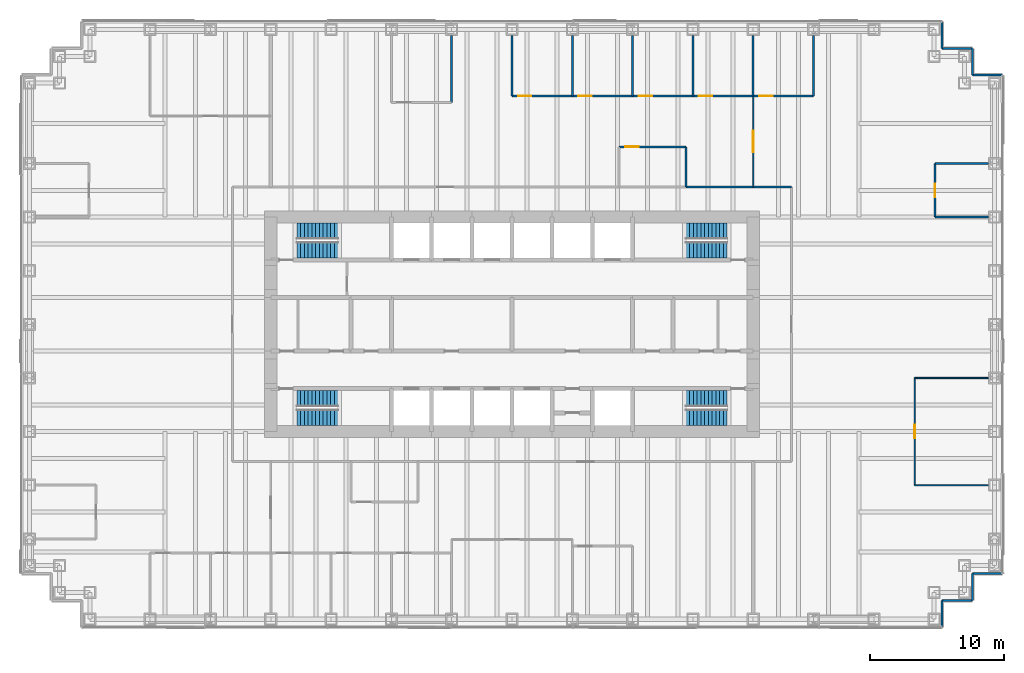
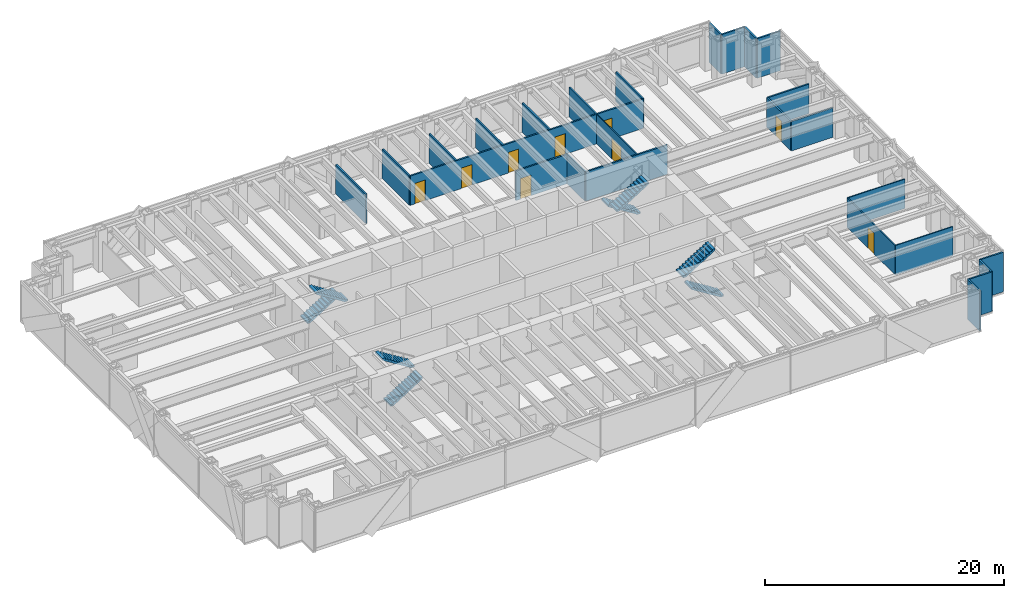
# One storey, part 16 of 17: 26 walls, 9 doors, 8 stair flights, 9 openings, 4 elements without a shape of their own.
"""IFC4 building model written with IfcOpenShell, lengths in metres."""

from ifc_helpers import new_model, si_unit, direction, frame, frame_2d, origin, place, context, subcontext, project, spatial, polyline, rectangle, outline, extrude, material, layer, layer_set, type_object, element, fill, aggregate, save


model = new_model("IFC4")

# Units and contexts
model_context = context("Model", 3, precision=1e-05, world=origin(), true_north=direction((0.0, 1.0)))
body_context = subcontext(model_context, "Body", "Model", "MODEL_VIEW")
ifc_project = project(units=[si_unit("LENGTHUNIT", "METRE"), si_unit("AREAUNIT", "SQUARE_METRE"), si_unit("VOLUMEUNIT", "CUBIC_METRE"), si_unit("PLANEANGLEUNIT", "RADIAN"), si_unit("MASSUNIT", "GRAM", prefix="KILO")], contexts=[model_context])

# Site, building, storey
site_placement = place(None, origin())
site = spatial("IfcSite", under=ifc_project, at=site_placement, CompositionType="ELEMENT")
building_placement = place(site_placement, origin())
building = spatial("IfcBuilding", under=site, at=building_placement, Name="Rheinbord Bourse Tower", CompositionType="ELEMENT")
storey_placement = place(building_placement, frame((0.0, 0.0, 159.300048828125)))
storey = spatial("IfcBuildingStorey", under=building, at=storey_placement, Name="L35", CompositionType="ELEMENT", Elevation=159.300048828125)

# Walls
ifc_material_1 = material(Name="Black metal rainscreen panel", Category="aluminium")
ifc_layer_1 = layer(ifc_material_1, 0.14990234375)
ifc_layer_set_1 = layer_set([ifc_layer_1], Name="CORNER PIER CLADDING 150")
wall_type_1 = type_object("IfcWallType", Name="CORNER PIER CLADDING 150", PredefinedType="ELEMENTEDWALL", material=ifc_layer_set_1)
wall_1_placement = place(storey_placement, frame((68.10009765625, 1.39990234375, 0.0), z_axis=(0.0, 0.0, 1.0), x_axis=(0.0, 1.0, 0.0)))
element("IfcWall", 1, at=wall_1_placement, inside=storey, type_object=wall_type_1, Name="Corner pier cladding L35 2", PredefinedType="ELEMENTEDWALL", context=body_context, shape_type="SweptSolid", body=[
    extrude(rectangle(XDim=2.0, YDim=0.14990234375, at=frame_2d((1.0, 0.0))), origin(), (0.0, 0.0, 1.0), 4.0400390625),
])
wall_2_placement = place(storey_placement, frame((68.10009765625, 3.39990234375, 0.0), z_axis=(0.0, 0.0, 1.0), x_axis=(1.0, 0.0, 0.0)))
element("IfcWall", 2, at=wall_2_placement, inside=storey, type_object=wall_type_1, Name="Corner pier cladding L35 3", PredefinedType="ELEMENTEDWALL", context=body_context, shape_type="SweptSolid", body=[
    extrude(rectangle(XDim=2.25, YDim=0.14990234375, at=frame_2d((1.125, 0.0))), origin(), (0.0, 0.0, 1.0), 4.0400390625),
])
wall_3_placement = place(storey_placement, frame((70.35009765625, 3.39990234375, 0.0), z_axis=(0.0, 0.0, 1.0), x_axis=(0.0, 1.0, 0.0)))
element("IfcWall", 3, at=wall_3_placement, inside=storey, type_object=wall_type_1, Name="Corner pier cladding L35 4", PredefinedType="ELEMENTEDWALL", context=body_context, shape_type="SweptSolid", body=[
    extrude(rectangle(XDim=2.0, YDim=0.14990234375, at=frame_2d((1.0, 0.0))), origin(), (0.0, 0.0, 1.0), 4.0400390625),
])
for number, where, z_axis, x_axis, name in (
    (4, (70.35009765625, 5.39990234375, 0.0), (0.0, 0.0, 1.0), (1.0, 0.0, 0.0), "Corner pier cladding L35 5"),
    (5, (72.60009765625, 42.60009765625, 0.0), (0.0, 0.0, 1.0), (-1.0, 0.0, 0.0), "Corner pier cladding L35 7"),
):
    element("IfcWall", number, at=place(storey_placement, frame(where, z_axis=z_axis, x_axis=x_axis)), inside=storey, type_object=wall_type_1, Name=name, PredefinedType="ELEMENTEDWALL", context=body_context, shape_type="SweptSolid", body=[
        extrude(rectangle(XDim=2.25, YDim=0.14990234375, at=frame_2d((1.125, 0.0))), origin(), (0.0, 0.0, 1.0), 4.0400390625),
    ])
wall_4_placement = place(storey_placement, frame((70.35009765625, 42.60009765625, 0.0), z_axis=(0.0, 0.0, 1.0), x_axis=(0.0, 1.0, 0.0)))
element("IfcWall", 6, at=wall_4_placement, inside=storey, type_object=wall_type_1, Name="Corner pier cladding L35 8", PredefinedType="ELEMENTEDWALL", context=body_context, shape_type="SweptSolid", body=[
    extrude(rectangle(XDim=2.0, YDim=0.14990234375, at=frame_2d((1.0, 0.0))), origin(), (0.0, 0.0, 1.0), 4.0400390625),
])
wall_5_placement = place(storey_placement, frame((70.35009765625, 44.60009765625, 0.0), z_axis=(0.0, 0.0, 1.0), x_axis=(-1.0, 0.0, 0.0)))
element("IfcWall", 7, at=wall_5_placement, inside=storey, type_object=wall_type_1, Name="Corner pier cladding L35 9", PredefinedType="ELEMENTEDWALL", context=body_context, shape_type="SweptSolid", body=[
    extrude(rectangle(XDim=2.25, YDim=0.14990234375, at=frame_2d((1.125, 0.0))), origin(), (0.0, 0.0, 1.0), 4.0400390625),
])
wall_6_placement = place(storey_placement, frame((68.10009765625, 44.60009765625, 0.0), z_axis=(0.0, 0.0, 1.0), x_axis=(0.0, 1.0, 0.0)))
element("IfcWall", 8, at=wall_6_placement, inside=storey, type_object=wall_type_1, Name="Corner pier cladding L35 10", PredefinedType="ELEMENTEDWALL", context=body_context, shape_type="SweptSolid", body=[
    extrude(rectangle(XDim=2.0, YDim=0.14990234375, at=frame_2d((1.0, 0.0))), origin(), (0.0, 0.0, 1.0), 4.0400390625),
])
ifc_material_2 = material(Name="Gypsum board corridor partition", Category="gypsum board")
ifc_layer_2 = layer(ifc_material_2, 0.14990234375)
ifc_layer_set_2 = layer_set([ifc_layer_2], Name="CORRIDOR PARTITION 150 EI30")
wall_type_2 = type_object("IfcWallType", Name="CORRIDOR PARTITION 150 EI30", PredefinedType="PARTITIONING", material=ifc_layer_set_2)
wall_7_placement = place(storey_placement, frame((49.0, 34.25, 0.0), z_axis=(0.0, 0.0, 1.0), x_axis=(1.0, 0.0, 0.0)))
element("IfcWall", 9, at=wall_7_placement, inside=storey, type_object=wall_type_2, Name="Partition L35-16", PredefinedType="PARTITIONING", context=body_context, shape_type="SweptSolid", body=[
    extrude(rectangle(XDim=7.85009765625, YDim=0.14990234375, at=frame_2d((3.925048828125, 0.0))), origin(), (0.0, 0.0, 1.0), 3.0),
])

# Wall, opening, door
ifc_material_3 = material(Name="Gypsum board fire partition", Category="gypsum board")
ifc_layer_3 = layer(ifc_material_3, 0.14990234375)
ifc_layer_set_3 = layer_set([ifc_layer_3], Name="FIRE PARTITION 150 EI60")
wall_type_3 = type_object("IfcWallType", Name="FIRE PARTITION 150 EI60", PredefinedType="PARTITIONING", material=ifc_layer_set_3)
wall_8_placement = place(storey_placement, frame((44.0, 37.25, 0.0), z_axis=(0.0, 0.0, 1.0), x_axis=(1.0, 0.0, 0.0)))
wall_8 = element("IfcWall", 10, at=wall_8_placement, inside=storey, type_object=wall_type_3, Name="Partition L35-19", PredefinedType="PARTITIONING", context=body_context, shape_type="SweptSolid", body=[
    extrude(rectangle(XDim=5.0, YDim=0.14990234375, at=frame_2d((2.5, 0.0))), origin(), (0.0, 0.0, 1.0), 3.0),
])
opening_1_placement = place(wall_8_placement, frame((0.449951171875, 0.0, 0.0)))
opening_1 = element("IfcOpeningElement", 11, at=opening_1_placement, cuts=wall_8, Name="Opening 35D13", PredefinedType="OPENING", context=body_context, shape_type="SweptSolid", body=[
    extrude(rectangle(XDim=1.0, YDim=2.10009765625, at=frame_2d((0.5, 1.050048828125))), frame((0.0, 0.0849609375, 0.0), z_axis=(0.0, -1.0, 0.0), x_axis=(1.0, 0.0, 0.0)), (0.0, 0.0, 1.0), 0.169921875),
])
ifc_material_4 = material(Name="Timber fire door", Category="wood")
door_type_1 = type_object("IfcDoorType", Name="FIRE DOOR 1000 EI60", OperationType="SINGLE_SWING_LEFT", PredefinedType="DOOR", material=ifc_material_4)
door_1_placement = place(opening_1_placement, origin())
door_1 = element("IfcDoor", 12, at=door_1_placement, inside=storey, type_object=door_type_1, Name="Comms room door L35", OperationType="SINGLE_SWING_LEFT", OverallHeight=2.10009765625, OverallWidth=1.0, PredefinedType="DOOR", context=body_context, shape_type="SweptSolid", body=[
    extrude(rectangle(XDim=1.0, YDim=2.10009765625, at=frame_2d((0.5, 1.050048828125))), frame((0.0, 0.02490234375, 0.0), z_axis=(0.0, -1.0, 0.0), x_axis=(1.0, 0.0, 0.0)), (0.0, 0.0, 1.0), 0.050048828125),
])
fill(opening_1, door_1)

# Walls
wall_9_placement = place(storey_placement, frame((49.0, 34.25, 0.0), z_axis=(0.0, 0.0, 1.0), x_axis=(0.0, 1.0, 0.0)))
element("IfcWall", 13, at=wall_9_placement, inside=storey, type_object=wall_type_3, Name="Partition L35-47", PredefinedType="PARTITIONING", context=body_context, shape_type="SweptSolid", body=[
    extrude(rectangle(XDim=3.0, YDim=0.14990234375, at=frame_2d((1.5, 0.0))), origin(), (0.0, 0.0, 1.0), 3.0),
])
ifc_material_5 = material(Name="Toughened laminated glass partition", Category="glass")
ifc_layer_4 = layer(ifc_material_5, 0.10009765625)
ifc_layer_set_4 = layer_set([ifc_layer_4], Name="GLAZED PARTITION 100")
wall_type_4 = type_object("IfcWallType", Name="GLAZED PARTITION 100", PredefinedType="PARTITIONING", material=ifc_layer_set_4)
for number, where, z_axis, x_axis, name in (
    (14, (66.050048828125, 12.0, 0.0), (0.0, 0.0, 1.0), (1.0, 0.0, 0.0), "Partition L35-07"),
    (15, (66.050048828125, 20.0, 0.0), (0.0, 0.0, 1.0), (1.0, 0.0, 0.0), "Partition L35-11"),
):
    element("IfcWall", number, at=place(storey_placement, frame(where, z_axis=z_axis, x_axis=x_axis)), inside=storey, type_object=wall_type_4, Name=name, PredefinedType="PARTITIONING", context=body_context, shape_type="SweptSolid", body=[
        extrude(rectangle(XDim=5.5, YDim=0.10009765625, at=frame_2d((2.75, 0.0))), origin(), (0.0, 0.0, 1.0), 3.0),
    ])

# Wall, opening, door
wall_10_placement = place(storey_placement, frame((54.0, 34.25, 0.0), z_axis=(0.0, 0.0, 1.0), x_axis=(0.0, 1.0, 0.0)))
wall_10 = element("IfcWall", 16, at=wall_10_placement, inside=storey, type_object=wall_type_4, Name="Partition L35-50", PredefinedType="PARTITIONING", context=body_context, shape_type="SweptSolid", body=[
    extrude(rectangle(XDim=6.800048828125, YDim=0.10009765625, at=frame_2d((3.39990234375, 0.0))), origin(), (0.0, 0.0, 1.0), 3.0),
])
opening_2_placement = place(wall_10_placement, frame((2.60009765625, 0.0, 0.0)))
opening_2 = element("IfcOpeningElement", 17, at=opening_2_placement, cuts=wall_10, Name="Opening 35D22", PredefinedType="OPENING", context=body_context, shape_type="SweptSolid", body=[
    extrude(rectangle(XDim=1.60009765625, YDim=2.10009765625, at=frame_2d((0.800048828125, 1.050048828125))), frame((0.0, 0.06005859375, 0.0), z_axis=(0.0, -1.0, 0.0), x_axis=(1.0, 0.0, 0.0)), (0.0, 0.0, 1.0), 0.1201171875),
])
ifc_material_6 = material(Name="Timber door", Category="wood")
door_type_2 = type_object("IfcDoorType", Name="DOUBLE ROOM DOOR 1600", OperationType="DOUBLE_DOOR_DOUBLE_SWING", PredefinedType="DOOR", material=ifc_material_6)
door_2_placement = place(opening_2_placement, origin())
door_2 = element("IfcDoor", 18, at=door_2_placement, inside=storey, type_object=door_type_2, Name="Open area door L35", OperationType="SINGLE_SWING_LEFT", OverallHeight=2.10009765625, OverallWidth=1.60009765625, PredefinedType="DOOR", context=body_context, shape_type="SweptSolid", body=[
    extrude(rectangle(XDim=1.60009765625, YDim=2.10009765625, at=frame_2d((0.800048828125, 1.050048828125))), frame((0.0, 0.02490234375, 0.0), z_axis=(0.0, -1.0, 0.0), x_axis=(1.0, 0.0, 0.0)), (0.0, 0.0, 1.0), 0.050048828125),
])
fill(opening_2, door_2)

wall_11_placement = place(storey_placement, frame((66.050048828125, 12.0, 0.0), z_axis=(0.0, 0.0, 1.0), x_axis=(0.0, 1.0, 0.0)))
wall_11 = element("IfcWall", 19, at=wall_11_placement, inside=storey, type_object=wall_type_4, Name="Partition L35-54", PredefinedType="PARTITIONING", context=body_context, shape_type="SweptSolid", body=[
    extrude(rectangle(XDim=8.0, YDim=0.10009765625, at=frame_2d((4.0, 0.0))), origin(), (0.0, 0.0, 1.0), 3.0),
])
opening_3_placement = place(wall_11_placement, frame((3.5, 0.0, 0.0)))
opening_3 = element("IfcOpeningElement", 20, at=opening_3_placement, cuts=wall_11, Name="Opening 35D10", PredefinedType="OPENING", context=body_context, shape_type="SweptSolid", body=[
    extrude(rectangle(XDim=1.0, YDim=2.10009765625, at=frame_2d((0.5, 1.050048828125))), frame((0.0, 0.06005859375, 0.0), z_axis=(0.0, -1.0, 0.0), x_axis=(1.0, 0.0, 0.0)), (0.0, 0.0, 1.0), 0.1201171875),
])
ifc_material_7 = material(Name="Timber door", Category="wood")
door_type_3 = type_object("IfcDoorType", Name="ROOM DOOR 1000", OperationType="SINGLE_SWING_LEFT", PredefinedType="DOOR", material=ifc_material_7)
door_3_placement = place(opening_3_placement, origin())
door_3 = element("IfcDoor", 21, at=door_3_placement, inside=storey, type_object=door_type_3, Name="Meeting room door L35", OperationType="SINGLE_SWING_LEFT", OverallHeight=2.10009765625, OverallWidth=1.0, PredefinedType="DOOR", context=body_context, shape_type="SweptSolid", body=[
    extrude(rectangle(XDim=1.0, YDim=2.10009765625, at=frame_2d((0.5, 1.050048828125))), frame((0.0, 0.02490234375, 0.0), z_axis=(0.0, -1.0, 0.0), x_axis=(1.0, 0.0, 0.0)), (0.0, 0.0, 1.0), 0.050048828125),
])
fill(opening_3, door_3)

# Walls
ifc_material_8 = material(Name="Gypsum board partition", Category="gypsum board")
ifc_layer_5 = layer(ifc_material_8, 0.14990234375)
ifc_layer_set_5 = layer_set([ifc_layer_5], Name="PARTITION 150")
wall_type_5 = type_object("IfcWallType", Name="PARTITION 150", PredefinedType="PARTITIONING", material=ifc_layer_set_5)
for number, where, z_axis, x_axis, name in (
    (22, (67.550048828125, 32.0, 0.0), (0.0, 0.0, 1.0), (1.0, 0.0, 0.0), "Partition L35-13"),
    (23, (67.550048828125, 36.0, 0.0), (0.0, 0.0, 1.0), (1.0, 0.0, 0.0), "Partition L35-18"),
):
    element("IfcWall", number, at=place(storey_placement, frame(where, z_axis=z_axis, x_axis=x_axis)), inside=storey, type_object=wall_type_5, Name=name, PredefinedType="PARTITIONING", context=body_context, shape_type="SweptSolid", body=[
        extrude(rectangle(XDim=4.0, YDim=0.14990234375, at=frame_2d((2.0, 0.0))), origin(), (0.0, 0.0, 1.0), 3.0),
    ])

# Wall, openings, doors
wall_12_placement = place(storey_placement, frame((36.0, 41.050048828125, 0.0), z_axis=(0.0, 0.0, 1.0), x_axis=(1.0, 0.0, 0.0)))
wall_12 = element("IfcWall", 24, at=wall_12_placement, inside=storey, type_object=wall_type_5, Name="Partition L35-22", PredefinedType="PARTITIONING", context=body_context, shape_type="SweptSolid", body=[
    extrude(rectangle(XDim=22.5, YDim=0.14990234375, at=frame_2d((11.25, 0.0))), origin(), (0.0, 0.0, 1.0), 3.0),
])
opening_4_placement = place(wall_12_placement, frame((0.449951171875, 0.0, 0.0)))
opening_4 = element("IfcOpeningElement", 25, at=opening_4_placement, cuts=wall_12, Name="Opening 35D16", PredefinedType="OPENING", context=body_context, shape_type="SweptSolid", body=[
    extrude(rectangle(XDim=1.0, YDim=2.10009765625, at=frame_2d((0.5, 1.050048828125))), frame((0.0, 0.0849609375, 0.0), z_axis=(0.0, -1.0, 0.0), x_axis=(1.0, 0.0, 0.0)), (0.0, 0.0, 1.0), 0.169921875),
])
opening_5_placement = place(wall_12_placement, frame((4.949951171875, 0.0, 0.0)))
opening_5 = element("IfcOpeningElement", 26, at=opening_5_placement, cuts=wall_12, Name="Opening 35D17", PredefinedType="OPENING", context=body_context, shape_type="SweptSolid", body=[
    extrude(rectangle(XDim=1.0, YDim=2.10009765625, at=frame_2d((0.5, 1.050048828125))), frame((0.0, 0.0849609375, 0.0), z_axis=(0.0, -1.0, 0.0), x_axis=(1.0, 0.0, 0.0)), (0.0, 0.0, 1.0), 0.169921875),
])
opening_6_placement = place(wall_12_placement, frame((9.449951171875, 0.0, 0.0)))
opening_6 = element("IfcOpeningElement", 27, at=opening_6_placement, cuts=wall_12, Name="Opening 35D18", PredefinedType="OPENING", context=body_context, shape_type="SweptSolid", body=[
    extrude(rectangle(XDim=1.0, YDim=2.10009765625, at=frame_2d((0.5, 1.050048828125))), frame((0.0, 0.0849609375, 0.0), z_axis=(0.0, -1.0, 0.0), x_axis=(1.0, 0.0, 0.0)), (0.0, 0.0, 1.0), 0.169921875),
])
opening_7_placement = place(wall_12_placement, frame((13.949951171875, 0.0, 0.0)))
opening_7 = element("IfcOpeningElement", 28, at=opening_7_placement, cuts=wall_12, Name="Opening 35D19", PredefinedType="OPENING", context=body_context, shape_type="SweptSolid", body=[
    extrude(rectangle(XDim=1.0, YDim=2.10009765625, at=frame_2d((0.5, 1.050048828125))), frame((0.0, 0.0849609375, 0.0), z_axis=(0.0, -1.0, 0.0), x_axis=(1.0, 0.0, 0.0)), (0.0, 0.0, 1.0), 0.169921875),
])
opening_8_placement = place(wall_12_placement, frame((18.449951171875, 0.0, 0.0)))
opening_8 = element("IfcOpeningElement", 29, at=opening_8_placement, cuts=wall_12, Name="Opening 35D20", PredefinedType="OPENING", context=body_context, shape_type="SweptSolid", body=[
    extrude(rectangle(XDim=1.0, YDim=2.10009765625, at=frame_2d((0.5, 1.050048828125))), frame((0.0, 0.0849609375, 0.0), z_axis=(0.0, -1.0, 0.0), x_axis=(1.0, 0.0, 0.0)), (0.0, 0.0, 1.0), 0.169921875),
])
door_4_placement = place(opening_4_placement, origin())
door_4 = element("IfcDoor", 30, at=door_4_placement, inside=storey, type_object=door_type_3, Name="Office door L35", OperationType="SINGLE_SWING_LEFT", OverallHeight=2.10009765625, OverallWidth=1.0, PredefinedType="DOOR", context=body_context, shape_type="SweptSolid", body=[
    extrude(rectangle(XDim=1.0, YDim=2.10009765625, at=frame_2d((0.5, 1.050048828125))), frame((0.0, 0.02490234375, 0.0), z_axis=(0.0, -1.0, 0.0), x_axis=(1.0, 0.0, 0.0)), (0.0, 0.0, 1.0), 0.050048828125),
])
fill(opening_4, door_4)
door_5_placement = place(opening_5_placement, origin())
door_5 = element("IfcDoor", 31, at=door_5_placement, inside=storey, type_object=door_type_3, Name="Office door L35", OperationType="SINGLE_SWING_LEFT", OverallHeight=2.10009765625, OverallWidth=1.0, PredefinedType="DOOR", context=body_context, shape_type="SweptSolid", body=[
    extrude(rectangle(XDim=1.0, YDim=2.10009765625, at=frame_2d((0.5, 1.050048828125))), frame((0.0, 0.02490234375, 0.0), z_axis=(0.0, -1.0, 0.0), x_axis=(1.0, 0.0, 0.0)), (0.0, 0.0, 1.0), 0.050048828125),
])
fill(opening_5, door_5)
door_6_placement = place(opening_6_placement, origin())
door_6 = element("IfcDoor", 32, at=door_6_placement, inside=storey, type_object=door_type_3, Name="Office door L35", OperationType="SINGLE_SWING_LEFT", OverallHeight=2.10009765625, OverallWidth=1.0, PredefinedType="DOOR", context=body_context, shape_type="SweptSolid", body=[
    extrude(rectangle(XDim=1.0, YDim=2.10009765625, at=frame_2d((0.5, 1.050048828125))), frame((0.0, 0.02490234375, 0.0), z_axis=(0.0, -1.0, 0.0), x_axis=(1.0, 0.0, 0.0)), (0.0, 0.0, 1.0), 0.050048828125),
])
fill(opening_6, door_6)
door_7_placement = place(opening_7_placement, origin())
door_7 = element("IfcDoor", 33, at=door_7_placement, inside=storey, type_object=door_type_3, Name="Office door L35", OperationType="SINGLE_SWING_RIGHT", OverallHeight=2.10009765625, OverallWidth=1.0, PredefinedType="DOOR", context=body_context, shape_type="SweptSolid", body=[
    extrude(rectangle(XDim=1.0, YDim=2.10009765625, at=frame_2d((0.5, 1.050048828125))), frame((0.0, 0.02490234375, 0.0), z_axis=(0.0, -1.0, 0.0), x_axis=(1.0, 0.0, 0.0)), (0.0, 0.0, 1.0), 0.050048828125),
])
fill(opening_7, door_7)
door_8_placement = place(opening_8_placement, origin())
door_8 = element("IfcDoor", 34, at=door_8_placement, inside=storey, type_object=door_type_3, Name="Office door L35", OperationType="SINGLE_SWING_RIGHT", OverallHeight=2.10009765625, OverallWidth=1.0, PredefinedType="DOOR", context=body_context, shape_type="SweptSolid", body=[
    extrude(rectangle(XDim=1.0, YDim=2.10009765625, at=frame_2d((0.5, 1.050048828125))), frame((0.0, 0.02490234375, 0.0), z_axis=(0.0, -1.0, 0.0), x_axis=(1.0, 0.0, 0.0)), (0.0, 0.0, 1.0), 0.050048828125),
])
fill(opening_8, door_8)

# Walls
wall_13_placement = place(storey_placement, frame((31.5, 40.550048828125, 0.0), z_axis=(0.0, 0.0, 1.0), x_axis=(0.0, 1.0, 0.0)))
element("IfcWall", 35, at=wall_13_placement, inside=storey, type_object=wall_type_5, Name="Partition L35-39", PredefinedType="PARTITIONING", context=body_context, shape_type="SweptSolid", body=[
    extrude(rectangle(XDim=5.0, YDim=0.14990234375, at=frame_2d((2.5, 0.0))), origin(), (0.0, 0.0, 1.0), 3.0),
])
for number, where, z_axis, x_axis, name in (
    (36, (36.0, 41.050048828125, 0.0), (0.0, 0.0, 1.0), (0.0, 1.0, 0.0), "Partition L35-40"),
    (37, (40.5, 41.050048828125, 0.0), (0.0, 0.0, 1.0), (0.0, 1.0, 0.0), "Partition L35-43"),
    (38, (45.0, 41.050048828125, 0.0), (0.0, 0.0, 1.0), (0.0, 1.0, 0.0), "Partition L35-46"),
    (39, (49.5, 41.050048828125, 0.0), (0.0, 0.0, 1.0), (0.0, 1.0, 0.0), "Partition L35-48"),
    (40, (54.0, 41.050048828125, 0.0), (0.0, 0.0, 1.0), (0.0, 1.0, 0.0), "Partition L35-51"),
    (41, (58.5, 41.050048828125, 0.0), (0.0, 0.0, 1.0), (0.0, 1.0, 0.0), "Partition L35-53"),
):
    element("IfcWall", number, at=place(storey_placement, frame(where, z_axis=z_axis, x_axis=x_axis)), inside=storey, type_object=wall_type_5, Name=name, PredefinedType="PARTITIONING", context=body_context, shape_type="SweptSolid", body=[
        extrude(rectangle(XDim=4.5, YDim=0.14990234375, at=frame_2d((2.25, 0.0))), origin(), (0.0, 0.0, 1.0), 3.0),
    ])

# Wall, opening, door
wall_14_placement = place(storey_placement, frame((67.550048828125, 32.0, 0.0), z_axis=(0.0, 0.0, 1.0), x_axis=(0.0, 1.0, 0.0)))
wall_14 = element("IfcWall", 42, at=wall_14_placement, inside=storey, type_object=wall_type_5, Name="Partition L35-55", PredefinedType="PARTITIONING", context=body_context, shape_type="SweptSolid", body=[
    extrude(rectangle(XDim=4.0, YDim=0.14990234375, at=frame_2d((2.0, 0.0))), origin(), (0.0, 0.0, 1.0), 3.0),
])
opening_9_placement = place(wall_14_placement, frame((1.5, 0.0, 0.0)))
opening_9 = element("IfcOpeningElement", 43, at=opening_9_placement, cuts=wall_14, Name="Opening 35D12", PredefinedType="OPENING", context=body_context, shape_type="SweptSolid", body=[
    extrude(rectangle(XDim=1.0, YDim=2.10009765625, at=frame_2d((0.5, 1.050048828125))), frame((0.0, 0.0849609375, 0.0), z_axis=(0.0, -1.0, 0.0), x_axis=(1.0, 0.0, 0.0)), (0.0, 0.0, 1.0), 0.169921875),
])
door_9_placement = place(opening_9_placement, origin())
door_9 = element("IfcDoor", 44, at=door_9_placement, inside=storey, type_object=door_type_3, Name="Store door L35", OperationType="SINGLE_SWING_LEFT", OverallHeight=2.10009765625, OverallWidth=1.0, PredefinedType="DOOR", context=body_context, shape_type="SweptSolid", body=[
    extrude(rectangle(XDim=1.0, YDim=2.10009765625, at=frame_2d((0.5, 1.050048828125))), frame((0.0, 0.02490234375, 0.0), z_axis=(0.0, -1.0, 0.0), x_axis=(1.0, 0.0, 0.0)), (0.0, 0.0, 1.0), 0.050048828125),
])
fill(opening_9, door_9)

# Stair, stair flights
ifc_material_9 = material(Name="Concrete C30/37", Category="concrete")
stair_type = type_object("IfcStairType", Name="CORE STAIR HALF TURN 4200", PredefinedType="HALF_TURN_STAIR", material=ifc_material_9)
stair_1_placement = place(storey_placement, origin())
stair_1 = element("IfcStair", 45, at=stair_1_placement, inside=storey, type_object=stair_type, Name="Stair ST1 L35, type CS6", PredefinedType="HALF_TURN_STAIR")
ifc_material_10 = material(Name="Concrete C30/37", Category="concrete")
stair_flight_type = type_object("IfcStairFlightType", Name="CORE STAIR FLIGHT 1200, 12 RISERS", PredefinedType="STRAIGHT", material=ifc_material_10)
stair_flight_1_placement = place(storey_placement, frame((19.949951171875, 17.050048828125, 0.0), z_axis=(0.0, 0.0, 1.0), x_axis=(1.0, 0.0, 0.0)))
stair_flight_1 = element("IfcStairFlight", 46, at=stair_flight_1_placement, type_object=stair_flight_type, Name="STAIR L35 ST1 F1", NumberOfRisers=12, NumberOfTreads=11, PredefinedType="STRAIGHT", RiserHeight=0.175, TreadLength=0.28, context=body_context, shape_type="SweptSolid", body=[
    extrude(outline(polyline([(0.0, 0.0), (0.0, 0.175048828125), (0.280029296875, 0.175048828125), (0.280029296875, 0.35009765625), (0.56005859375, 0.35009765625), (0.56005859375, 0.52490234375), (0.840087890625, 0.52490234375), (0.840087890625, 0.699951171875), (1.1201171875, 0.699951171875), (1.1201171875, 0.875), (1.39990234375, 0.875), (1.39990234375, 1.050048828125), (1.679931640625, 1.050048828125), (1.679931640625, 1.22509765625), (1.9599609375, 1.22509765625), (1.9599609375, 1.39990234375), (2.239990234375, 1.39990234375), (2.239990234375, 1.574951171875), (2.52001953125, 1.574951171875), (2.52001953125, 1.75), (2.800048828125, 1.75), (2.800048828125, 1.925048828125), (3.080078125, 1.925048828125), (3.080078125, 2.10009765625), (3.080078125, 1.748291015625), (0.28271484375, 0.0), (0.0, 0.0)])), frame((0.0, 0.60009765625, 0.0), z_axis=(0.0, -1.0, 0.0), x_axis=(1.0, 0.0, 0.0)), (0.0, 0.0, 1.0), 1.199951171875),
])
stair_flight_2_placement = place(storey_placement, frame((23.030029296875, 18.449951171875, 2.099853515625), z_axis=(0.0, 0.0, 1.0), x_axis=(-1.0, 0.0, 0.0)))
stair_flight_2 = element("IfcStairFlight", 47, at=stair_flight_2_placement, type_object=stair_flight_type, Name="STAIR L35 ST1 F2", NumberOfRisers=12, NumberOfTreads=11, PredefinedType="STRAIGHT", RiserHeight=0.175, TreadLength=0.28, context=body_context, shape_type="SweptSolid", body=[
    extrude(outline(polyline([(0.0, 0.0), (0.0, 0.175048828125), (0.280029296875, 0.175048828125), (0.280029296875, 0.35009765625), (0.56005859375, 0.35009765625), (0.56005859375, 0.52490234375), (0.840087890625, 0.52490234375), (0.840087890625, 0.699951171875), (1.1201171875, 0.699951171875), (1.1201171875, 0.875), (1.39990234375, 0.875), (1.39990234375, 1.050048828125), (1.679931640625, 1.050048828125), (1.679931640625, 1.22509765625), (1.9599609375, 1.22509765625), (1.9599609375, 1.39990234375), (2.239990234375, 1.39990234375), (2.239990234375, 1.574951171875), (2.52001953125, 1.574951171875), (2.52001953125, 1.75), (2.800048828125, 1.75), (2.800048828125, 1.925048828125), (3.080078125, 1.925048828125), (3.080078125, 2.10009765625), (3.080078125, 1.748291015625), (0.28271484375, 0.0), (0.0, 0.0)])), frame((0.0, 0.60009765625, 0.0), z_axis=(0.0, -1.0, 0.0), x_axis=(1.0, 0.0, 0.0)), (0.0, 0.0, 1.0), 1.199951171875),
])
aggregate(stair_1, [stair_flight_1, stair_flight_2])

stair_2_placement = place(storey_placement, origin())
stair_2 = element("IfcStair", 48, at=stair_2_placement, inside=storey, type_object=stair_type, Name="Stair ST2 L35, type CS6", PredefinedType="HALF_TURN_STAIR")
stair_flight_3_placement = place(storey_placement, frame((19.949951171875, 30.949951171875, 0.0), z_axis=(0.0, 0.0, 1.0), x_axis=(1.0, 0.0, 0.0)))
stair_flight_3 = element("IfcStairFlight", 49, at=stair_flight_3_placement, type_object=stair_flight_type, Name="STAIR L35 ST2 F1", NumberOfRisers=12, NumberOfTreads=11, PredefinedType="STRAIGHT", RiserHeight=0.175, TreadLength=0.28, context=body_context, shape_type="SweptSolid", body=[
    extrude(outline(polyline([(0.0, 0.0), (0.0, 0.175048828125), (0.280029296875, 0.175048828125), (0.280029296875, 0.35009765625), (0.56005859375, 0.35009765625), (0.56005859375, 0.52490234375), (0.840087890625, 0.52490234375), (0.840087890625, 0.699951171875), (1.1201171875, 0.699951171875), (1.1201171875, 0.875), (1.39990234375, 0.875), (1.39990234375, 1.050048828125), (1.679931640625, 1.050048828125), (1.679931640625, 1.22509765625), (1.9599609375, 1.22509765625), (1.9599609375, 1.39990234375), (2.239990234375, 1.39990234375), (2.239990234375, 1.574951171875), (2.52001953125, 1.574951171875), (2.52001953125, 1.75), (2.800048828125, 1.75), (2.800048828125, 1.925048828125), (3.080078125, 1.925048828125), (3.080078125, 2.10009765625), (3.080078125, 1.748291015625), (0.28271484375, 0.0), (0.0, 0.0)])), frame((0.0, 0.60009765625, 0.0), z_axis=(0.0, -1.0, 0.0), x_axis=(1.0, 0.0, 0.0)), (0.0, 0.0, 1.0), 1.199951171875),
])
stair_flight_4_placement = place(storey_placement, frame((23.030029296875, 29.550048828125, 2.099853515625), z_axis=(0.0, 0.0, 1.0), x_axis=(-1.0, 0.0, 0.0)))
stair_flight_4 = element("IfcStairFlight", 50, at=stair_flight_4_placement, type_object=stair_flight_type, Name="STAIR L35 ST2 F2", NumberOfRisers=12, NumberOfTreads=11, PredefinedType="STRAIGHT", RiserHeight=0.175, TreadLength=0.28, context=body_context, shape_type="SweptSolid", body=[
    extrude(outline(polyline([(0.0, 0.0), (0.0, 0.175048828125), (0.280029296875, 0.175048828125), (0.280029296875, 0.35009765625), (0.56005859375, 0.35009765625), (0.56005859375, 0.52490234375), (0.840087890625, 0.52490234375), (0.840087890625, 0.699951171875), (1.1201171875, 0.699951171875), (1.1201171875, 0.875), (1.39990234375, 0.875), (1.39990234375, 1.050048828125), (1.679931640625, 1.050048828125), (1.679931640625, 1.22509765625), (1.9599609375, 1.22509765625), (1.9599609375, 1.39990234375), (2.239990234375, 1.39990234375), (2.239990234375, 1.574951171875), (2.52001953125, 1.574951171875), (2.52001953125, 1.75), (2.800048828125, 1.75), (2.800048828125, 1.925048828125), (3.080078125, 1.925048828125), (3.080078125, 2.10009765625), (3.080078125, 1.748291015625), (0.28271484375, 0.0), (0.0, 0.0)])), frame((0.0, 0.60009765625, 0.0), z_axis=(0.0, -1.0, 0.0), x_axis=(1.0, 0.0, 0.0)), (0.0, 0.0, 1.0), 1.199951171875),
])
aggregate(stair_2, [stair_flight_3, stair_flight_4])

stair_3_placement = place(storey_placement, origin())
stair_3 = element("IfcStair", 51, at=stair_3_placement, inside=storey, type_object=stair_type, Name="Stair ST3 L35, type CS6", PredefinedType="HALF_TURN_STAIR")
stair_flight_5_placement = place(storey_placement, frame((52.050048828125, 17.050048828125, 0.0), z_axis=(0.0, 0.0, 1.0), x_axis=(-1.0, 0.0, 0.0)))
stair_flight_5 = element("IfcStairFlight", 52, at=stair_flight_5_placement, type_object=stair_flight_type, Name="STAIR L35 ST3 F1", NumberOfRisers=12, NumberOfTreads=11, PredefinedType="STRAIGHT", RiserHeight=0.175, TreadLength=0.28, context=body_context, shape_type="SweptSolid", body=[
    extrude(outline(polyline([(0.0, 0.0), (0.0, 0.175048828125), (0.280029296875, 0.175048828125), (0.280029296875, 0.35009765625), (0.56005859375, 0.35009765625), (0.56005859375, 0.52490234375), (0.840087890625, 0.52490234375), (0.840087890625, 0.699951171875), (1.1201171875, 0.699951171875), (1.1201171875, 0.875), (1.39990234375, 0.875), (1.39990234375, 1.050048828125), (1.679931640625, 1.050048828125), (1.679931640625, 1.22509765625), (1.9599609375, 1.22509765625), (1.9599609375, 1.39990234375), (2.239990234375, 1.39990234375), (2.239990234375, 1.574951171875), (2.52001953125, 1.574951171875), (2.52001953125, 1.75), (2.800048828125, 1.75), (2.800048828125, 1.925048828125), (3.080078125, 1.925048828125), (3.080078125, 2.10009765625), (3.080078125, 1.748291015625), (0.28271484375, 0.0), (0.0, 0.0)])), frame((0.0, 0.60009765625, 0.0), z_axis=(0.0, -1.0, 0.0), x_axis=(1.0, 0.0, 0.0)), (0.0, 0.0, 1.0), 1.199951171875),
])
stair_flight_6_placement = place(storey_placement, frame((48.969970703125, 18.449951171875, 2.099853515625), z_axis=(0.0, 0.0, 1.0), x_axis=(1.0, 0.0, 0.0)))
stair_flight_6 = element("IfcStairFlight", 53, at=stair_flight_6_placement, type_object=stair_flight_type, Name="STAIR L35 ST3 F2", NumberOfRisers=12, NumberOfTreads=11, PredefinedType="STRAIGHT", RiserHeight=0.175, TreadLength=0.28, context=body_context, shape_type="SweptSolid", body=[
    extrude(outline(polyline([(0.0, 0.0), (0.0, 0.175048828125), (0.280029296875, 0.175048828125), (0.280029296875, 0.35009765625), (0.56005859375, 0.35009765625), (0.56005859375, 0.52490234375), (0.840087890625, 0.52490234375), (0.840087890625, 0.699951171875), (1.1201171875, 0.699951171875), (1.1201171875, 0.875), (1.39990234375, 0.875), (1.39990234375, 1.050048828125), (1.679931640625, 1.050048828125), (1.679931640625, 1.22509765625), (1.9599609375, 1.22509765625), (1.9599609375, 1.39990234375), (2.239990234375, 1.39990234375), (2.239990234375, 1.574951171875), (2.52001953125, 1.574951171875), (2.52001953125, 1.75), (2.800048828125, 1.75), (2.800048828125, 1.925048828125), (3.080078125, 1.925048828125), (3.080078125, 2.10009765625), (3.080078125, 1.748291015625), (0.28271484375, 0.0), (0.0, 0.0)])), frame((0.0, 0.60009765625, 0.0), z_axis=(0.0, -1.0, 0.0), x_axis=(1.0, 0.0, 0.0)), (0.0, 0.0, 1.0), 1.199951171875),
])
aggregate(stair_3, [stair_flight_5, stair_flight_6])

stair_4_placement = place(storey_placement, origin())
stair_4 = element("IfcStair", 54, at=stair_4_placement, inside=storey, type_object=stair_type, Name="Stair ST4 L35, type CS6", PredefinedType="HALF_TURN_STAIR")
stair_flight_7_placement = place(storey_placement, frame((52.050048828125, 30.949951171875, 0.0), z_axis=(0.0, 0.0, 1.0), x_axis=(-1.0, 0.0, 0.0)))
stair_flight_7 = element("IfcStairFlight", 55, at=stair_flight_7_placement, type_object=stair_flight_type, Name="STAIR L35 ST4 F1", NumberOfRisers=12, NumberOfTreads=11, PredefinedType="STRAIGHT", RiserHeight=0.175, TreadLength=0.28, context=body_context, shape_type="SweptSolid", body=[
    extrude(outline(polyline([(0.0, 0.0), (0.0, 0.175048828125), (0.280029296875, 0.175048828125), (0.280029296875, 0.35009765625), (0.56005859375, 0.35009765625), (0.56005859375, 0.52490234375), (0.840087890625, 0.52490234375), (0.840087890625, 0.699951171875), (1.1201171875, 0.699951171875), (1.1201171875, 0.875), (1.39990234375, 0.875), (1.39990234375, 1.050048828125), (1.679931640625, 1.050048828125), (1.679931640625, 1.22509765625), (1.9599609375, 1.22509765625), (1.9599609375, 1.39990234375), (2.239990234375, 1.39990234375), (2.239990234375, 1.574951171875), (2.52001953125, 1.574951171875), (2.52001953125, 1.75), (2.800048828125, 1.75), (2.800048828125, 1.925048828125), (3.080078125, 1.925048828125), (3.080078125, 2.10009765625), (3.080078125, 1.748291015625), (0.28271484375, 0.0), (0.0, 0.0)])), frame((0.0, 0.60009765625, 0.0), z_axis=(0.0, -1.0, 0.0), x_axis=(1.0, 0.0, 0.0)), (0.0, 0.0, 1.0), 1.199951171875),
])
stair_flight_8_placement = place(storey_placement, frame((48.969970703125, 29.550048828125, 2.099853515625), z_axis=(0.0, 0.0, 1.0), x_axis=(1.0, 0.0, 0.0)))
stair_flight_8 = element("IfcStairFlight", 56, at=stair_flight_8_placement, type_object=stair_flight_type, Name="STAIR L35 ST4 F2", NumberOfRisers=12, NumberOfTreads=11, PredefinedType="STRAIGHT", RiserHeight=0.175, TreadLength=0.28, context=body_context, shape_type="SweptSolid", body=[
    extrude(outline(polyline([(0.0, 0.0), (0.0, 0.175048828125), (0.280029296875, 0.175048828125), (0.280029296875, 0.35009765625), (0.56005859375, 0.35009765625), (0.56005859375, 0.52490234375), (0.840087890625, 0.52490234375), (0.840087890625, 0.699951171875), (1.1201171875, 0.699951171875), (1.1201171875, 0.875), (1.39990234375, 0.875), (1.39990234375, 1.050048828125), (1.679931640625, 1.050048828125), (1.679931640625, 1.22509765625), (1.9599609375, 1.22509765625), (1.9599609375, 1.39990234375), (2.239990234375, 1.39990234375), (2.239990234375, 1.574951171875), (2.52001953125, 1.574951171875), (2.52001953125, 1.75), (2.800048828125, 1.75), (2.800048828125, 1.925048828125), (3.080078125, 1.925048828125), (3.080078125, 2.10009765625), (3.080078125, 1.748291015625), (0.28271484375, 0.0), (0.0, 0.0)])), frame((0.0, 0.60009765625, 0.0), z_axis=(0.0, -1.0, 0.0), x_axis=(1.0, 0.0, 0.0)), (0.0, 0.0, 1.0), 1.199951171875),
])
aggregate(stair_4, [stair_flight_7, stair_flight_8])

save(model, "model.ifc")
